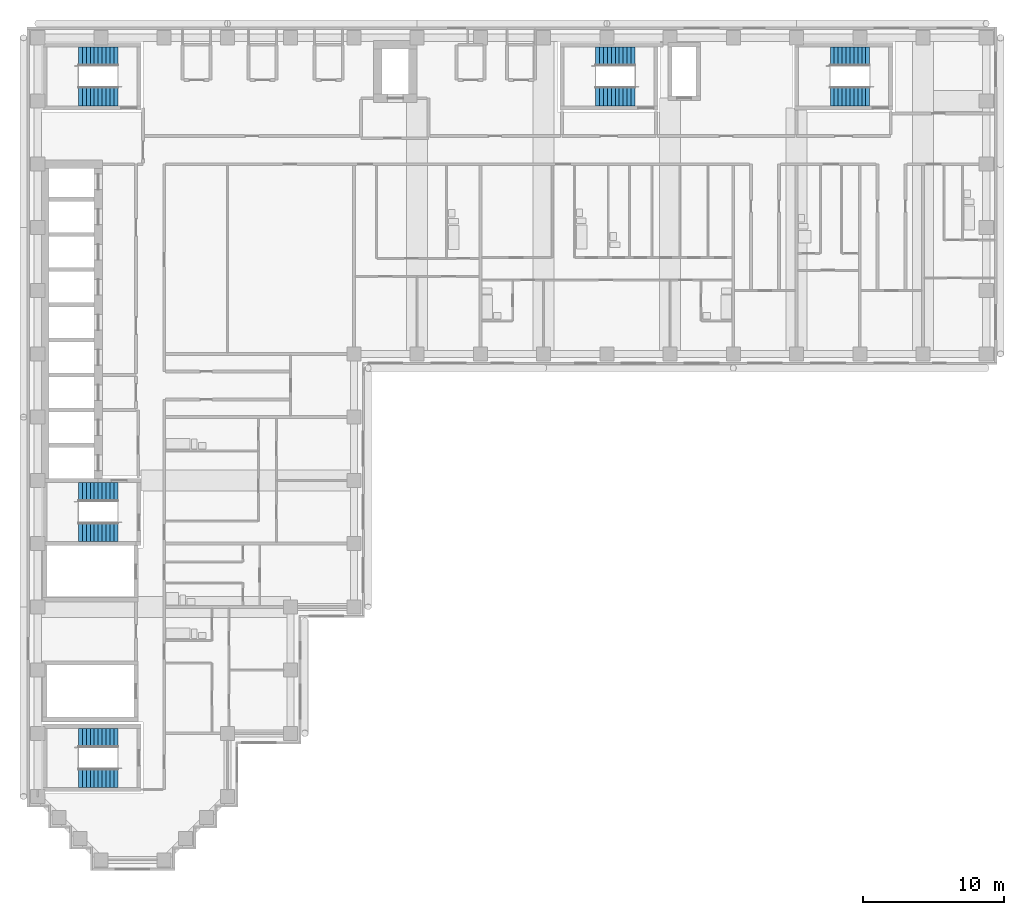
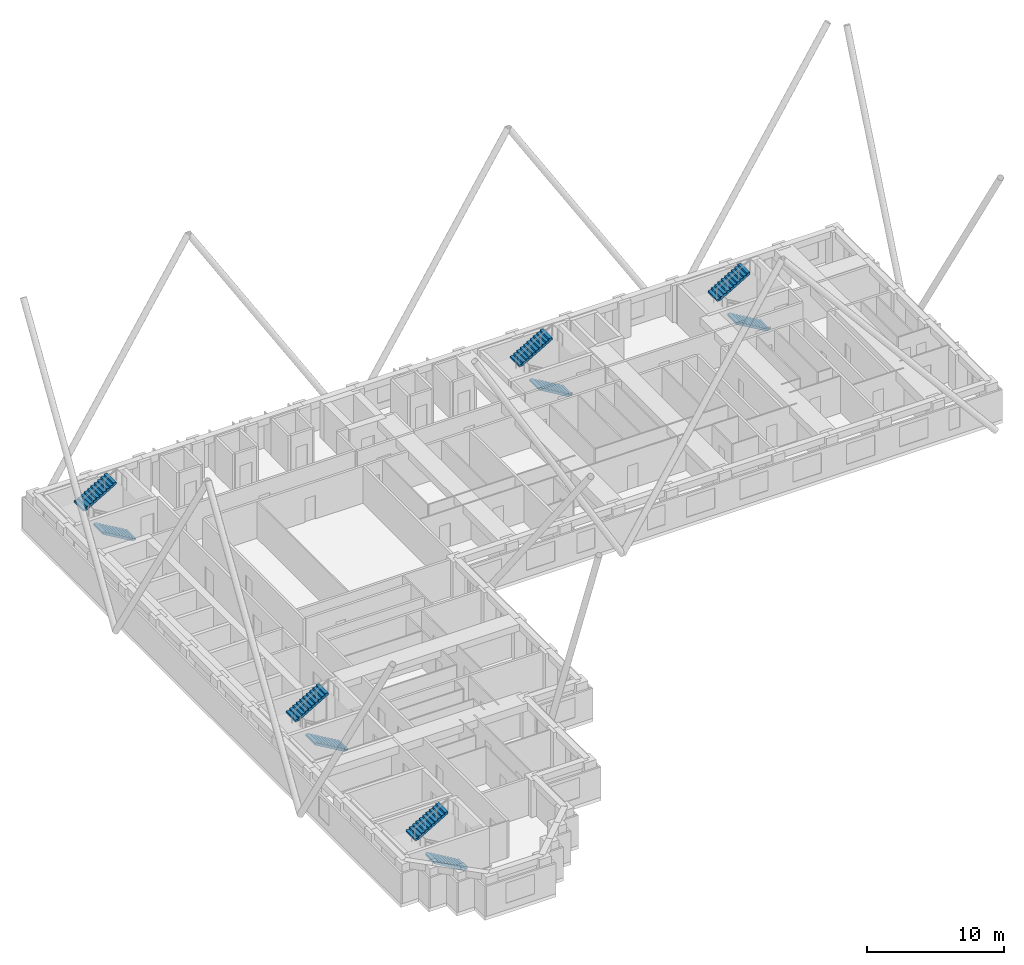
# One storey, part 11 of 13: 10 stair flights, 5 elements without a shape of their own.
"""IFC4 building model written with IfcOpenShell, lengths in metres."""

from ifc_helpers import new_model, si_unit, direction, frame, origin, place, context, subcontext, project, spatial, polyline, outline, extrude, material, type_object, element, aggregate, save


model = new_model("IFC4")

# Units and contexts
model_context = context("Model", 3, precision=1e-05, world=origin(), true_north=direction((0.0, 1.0)))
body_context = subcontext(model_context, "Body", "Model", "MODEL_VIEW")
ifc_project = project(units=[si_unit("LENGTHUNIT", "METRE"), si_unit("AREAUNIT", "SQUARE_METRE"), si_unit("VOLUMEUNIT", "CUBIC_METRE"), si_unit("PLANEANGLEUNIT", "RADIAN"), si_unit("MASSUNIT", "GRAM", prefix="KILO")], contexts=[model_context])

# Site, building, storey
site_placement = place(None, origin())
site = spatial("IfcSite", under=ifc_project, at=site_placement, CompositionType="ELEMENT")
building_placement = place(site_placement, origin())
building = spatial("IfcBuilding", under=site, at=building_placement, Name="Firuza Court", CompositionType="ELEMENT")
storey_placement = place(building_placement, frame((0.0, 0.0, 119.60009765625)))
storey = spatial("IfcBuildingStorey", under=building, at=storey_placement, Name="L29", CompositionType="ELEMENT", Elevation=119.60009765625)

# Stair, stair flights
ifc_material_1 = material(Name="Concrete C40/50 precast", Category="concrete")
stair_type = type_object("IfcStairType", Name="Stair 1350 x 3600 2 flights", PredefinedType="HALF_TURN_STAIR", material=ifc_material_1)
stair_1_placement = place(storey_placement, origin())
stair_1 = element("IfcStair", 1, at=stair_1_placement, inside=storey, type_object=stair_type, Name="Stair 1 L29", PredefinedType="HALF_TURN_STAIR")
ifc_material_2 = material(Name="Concrete C40/50 precast", Category="concrete")
stair_flight_type = type_object("IfcStairFlightType", Name="Flight 1350 riser 163.6", PredefinedType="STRAIGHT", material=ifc_material_2)
stair_flight_1_placement = place(storey_placement, frame((42.5, 54.324951171875, 0.0), z_axis=(0.0, 0.0, 1.0), x_axis=(-1.0, 0.0, 0.0)))
stair_flight_1 = element("IfcStairFlight", 2, at=stair_flight_1_placement, type_object=stair_flight_type, Name="S1 flight 1", NumberOfRisers=11, NumberOfTreads=10, PredefinedType="STRAIGHT", RiserHeight=0.163636364, TreadLength=0.28, context=body_context, shape_type="SweptSolid", body=[
    extrude(outline(polyline([(0.0, 0.0), (0.0, 0.16357421875), (0.280029296875, 0.16357421875), (0.280029296875, 0.327392578125), (0.56005859375, 0.327392578125), (0.56005859375, 0.490966796875), (0.840087890625, 0.490966796875), (0.840087890625, 0.654541015625), (1.1201171875, 0.654541015625), (1.1201171875, 0.818115234375), (1.39990234375, 0.818115234375), (1.39990234375, 0.98193359375), (1.679931640625, 0.98193359375), (1.679931640625, 1.1455078125), (1.9599609375, 1.1455078125), (1.9599609375, 1.30908203125), (2.239990234375, 1.30908203125), (2.239990234375, 1.47265625), (2.52001953125, 1.47265625), (2.52001953125, 1.636474609375), (2.800048828125, 1.636474609375), (2.800048828125, 1.800048828125), (2.800048828125, 1.462646484375), (0.297119140625, 0.0), (0.0, 0.0)])), frame((0.0, 0.675048828125, 0.0), z_axis=(0.0, -1.0, 0.0), x_axis=(1.0, 0.0, 0.0)), (0.0, 0.0, 1.0), 1.35009765625),
])
stair_flight_2_placement = place(storey_placement, frame((39.699951171875, 57.175048828125, 1.7998046875), z_axis=(0.0, 0.0, 1.0), x_axis=(1.0, 0.0, 0.0)))
stair_flight_2 = element("IfcStairFlight", 3, at=stair_flight_2_placement, type_object=stair_flight_type, Name="S1 flight 2", NumberOfRisers=11, NumberOfTreads=10, PredefinedType="STRAIGHT", RiserHeight=0.163636364, TreadLength=0.28, context=body_context, shape_type="SweptSolid", body=[
    extrude(outline(polyline([(0.0, 0.0), (0.0, 0.16357421875), (0.280029296875, 0.16357421875), (0.280029296875, 0.327392578125), (0.56005859375, 0.327392578125), (0.56005859375, 0.490966796875), (0.840087890625, 0.490966796875), (0.840087890625, 0.654541015625), (1.1201171875, 0.654541015625), (1.1201171875, 0.818115234375), (1.39990234375, 0.818115234375), (1.39990234375, 0.98193359375), (1.679931640625, 0.98193359375), (1.679931640625, 1.1455078125), (1.9599609375, 1.1455078125), (1.9599609375, 1.30908203125), (2.239990234375, 1.30908203125), (2.239990234375, 1.47265625), (2.52001953125, 1.47265625), (2.52001953125, 1.636474609375), (2.800048828125, 1.636474609375), (2.800048828125, 1.800048828125), (2.800048828125, 1.462646484375), (0.297119140625, 0.0), (0.0, 0.0)])), frame((0.0, 0.675048828125, 0.0), z_axis=(0.0, -1.0, 0.0), x_axis=(1.0, 0.0, 0.0)), (0.0, 0.0, 1.0), 1.35009765625),
])
aggregate(stair_1, [stair_flight_1, stair_flight_2])

stair_2_placement = place(storey_placement, origin())
stair_2 = element("IfcStair", 4, at=stair_2_placement, inside=storey, type_object=stair_type, Name="Stair 2 L29", PredefinedType="HALF_TURN_STAIR")
stair_flight_3_placement = place(storey_placement, frame((5.699951171875, 23.324951171875, 0.0), z_axis=(0.0, 0.0, 1.0), x_axis=(-1.0, 0.0, 0.0)))
stair_flight_3 = element("IfcStairFlight", 5, at=stair_flight_3_placement, type_object=stair_flight_type, Name="S2 flight 1", NumberOfRisers=11, NumberOfTreads=10, PredefinedType="STRAIGHT", RiserHeight=0.163636364, TreadLength=0.28, context=body_context, shape_type="SweptSolid", body=[
    extrude(outline(polyline([(0.0, 0.0), (0.0, 0.16357421875), (0.280029296875, 0.16357421875), (0.280029296875, 0.327392578125), (0.56005859375, 0.327392578125), (0.56005859375, 0.490966796875), (0.840087890625, 0.490966796875), (0.840087890625, 0.654541015625), (1.1201171875, 0.654541015625), (1.1201171875, 0.818115234375), (1.39990234375, 0.818115234375), (1.39990234375, 0.98193359375), (1.679931640625, 0.98193359375), (1.679931640625, 1.1455078125), (1.9599609375, 1.1455078125), (1.9599609375, 1.30908203125), (2.239990234375, 1.30908203125), (2.239990234375, 1.47265625), (2.52001953125, 1.47265625), (2.52001953125, 1.636474609375), (2.800048828125, 1.636474609375), (2.800048828125, 1.800048828125), (2.800048828125, 1.462646484375), (0.297119140625, 0.0), (0.0, 0.0)])), frame((0.0, 0.675048828125, 0.0), z_axis=(0.0, -1.0, 0.0), x_axis=(1.0, 0.0, 0.0)), (0.0, 0.0, 1.0), 1.35009765625),
])
stair_flight_4_placement = place(storey_placement, frame((2.89990234375, 26.175048828125, 1.7998046875), z_axis=(0.0, 0.0, 1.0), x_axis=(1.0, 0.0, 0.0)))
stair_flight_4 = element("IfcStairFlight", 6, at=stair_flight_4_placement, type_object=stair_flight_type, Name="S2 flight 2", NumberOfRisers=11, NumberOfTreads=10, PredefinedType="STRAIGHT", RiserHeight=0.163636364, TreadLength=0.28, context=body_context, shape_type="SweptSolid", body=[
    extrude(outline(polyline([(0.0, 0.0), (0.0, 0.16357421875), (0.280029296875, 0.16357421875), (0.280029296875, 0.327392578125), (0.56005859375, 0.327392578125), (0.56005859375, 0.490966796875), (0.840087890625, 0.490966796875), (0.840087890625, 0.654541015625), (1.1201171875, 0.654541015625), (1.1201171875, 0.818115234375), (1.39990234375, 0.818115234375), (1.39990234375, 0.98193359375), (1.679931640625, 0.98193359375), (1.679931640625, 1.1455078125), (1.9599609375, 1.1455078125), (1.9599609375, 1.30908203125), (2.239990234375, 1.30908203125), (2.239990234375, 1.47265625), (2.52001953125, 1.47265625), (2.52001953125, 1.636474609375), (2.800048828125, 1.636474609375), (2.800048828125, 1.800048828125), (2.800048828125, 1.462646484375), (0.297119140625, 0.0), (0.0, 0.0)])), frame((0.0, 0.675048828125, 0.0), z_axis=(0.0, -1.0, 0.0), x_axis=(1.0, 0.0, 0.0)), (0.0, 0.0, 1.0), 1.35009765625),
])
aggregate(stair_2, [stair_flight_3, stair_flight_4])

stair_3_placement = place(storey_placement, origin())
stair_3 = element("IfcStair", 7, at=stair_3_placement, inside=storey, type_object=stair_type, Name="Stair 3 L29", PredefinedType="HALF_TURN_STAIR")
stair_flight_5_placement = place(storey_placement, frame((5.699951171875, 54.324951171875, 0.0), z_axis=(0.0, 0.0, 1.0), x_axis=(-1.0, 0.0, 0.0)))
stair_flight_5 = element("IfcStairFlight", 8, at=stair_flight_5_placement, type_object=stair_flight_type, Name="S3 flight 1", NumberOfRisers=11, NumberOfTreads=10, PredefinedType="STRAIGHT", RiserHeight=0.163636364, TreadLength=0.28, context=body_context, shape_type="SweptSolid", body=[
    extrude(outline(polyline([(0.0, 0.0), (0.0, 0.16357421875), (0.280029296875, 0.16357421875), (0.280029296875, 0.327392578125), (0.56005859375, 0.327392578125), (0.56005859375, 0.490966796875), (0.840087890625, 0.490966796875), (0.840087890625, 0.654541015625), (1.1201171875, 0.654541015625), (1.1201171875, 0.818115234375), (1.39990234375, 0.818115234375), (1.39990234375, 0.98193359375), (1.679931640625, 0.98193359375), (1.679931640625, 1.1455078125), (1.9599609375, 1.1455078125), (1.9599609375, 1.30908203125), (2.239990234375, 1.30908203125), (2.239990234375, 1.47265625), (2.52001953125, 1.47265625), (2.52001953125, 1.636474609375), (2.800048828125, 1.636474609375), (2.800048828125, 1.800048828125), (2.800048828125, 1.462646484375), (0.297119140625, 0.0), (0.0, 0.0)])), frame((0.0, 0.675048828125, 0.0), z_axis=(0.0, -1.0, 0.0), x_axis=(1.0, 0.0, 0.0)), (0.0, 0.0, 1.0), 1.35009765625),
])
stair_flight_6_placement = place(storey_placement, frame((2.89990234375, 57.175048828125, 1.7998046875), z_axis=(0.0, 0.0, 1.0), x_axis=(1.0, 0.0, 0.0)))
stair_flight_6 = element("IfcStairFlight", 9, at=stair_flight_6_placement, type_object=stair_flight_type, Name="S3 flight 2", NumberOfRisers=11, NumberOfTreads=10, PredefinedType="STRAIGHT", RiserHeight=0.163636364, TreadLength=0.28, context=body_context, shape_type="SweptSolid", body=[
    extrude(outline(polyline([(0.0, 0.0), (0.0, 0.16357421875), (0.280029296875, 0.16357421875), (0.280029296875, 0.327392578125), (0.56005859375, 0.327392578125), (0.56005859375, 0.490966796875), (0.840087890625, 0.490966796875), (0.840087890625, 0.654541015625), (1.1201171875, 0.654541015625), (1.1201171875, 0.818115234375), (1.39990234375, 0.818115234375), (1.39990234375, 0.98193359375), (1.679931640625, 0.98193359375), (1.679931640625, 1.1455078125), (1.9599609375, 1.1455078125), (1.9599609375, 1.30908203125), (2.239990234375, 1.30908203125), (2.239990234375, 1.47265625), (2.52001953125, 1.47265625), (2.52001953125, 1.636474609375), (2.800048828125, 1.636474609375), (2.800048828125, 1.800048828125), (2.800048828125, 1.462646484375), (0.297119140625, 0.0), (0.0, 0.0)])), frame((0.0, 0.675048828125, 0.0), z_axis=(0.0, -1.0, 0.0), x_axis=(1.0, 0.0, 0.0)), (0.0, 0.0, 1.0), 1.35009765625),
])
aggregate(stair_3, [stair_flight_5, stair_flight_6])

stair_4_placement = place(storey_placement, origin())
stair_4 = element("IfcStair", 10, at=stair_4_placement, inside=storey, type_object=stair_type, Name="Stair 4 L29", PredefinedType="HALF_TURN_STAIR")
stair_flight_7_placement = place(storey_placement, frame((59.199951171875, 54.324951171875, 0.0), z_axis=(0.0, 0.0, 1.0), x_axis=(-1.0, 0.0, 0.0)))
stair_flight_7 = element("IfcStairFlight", 11, at=stair_flight_7_placement, type_object=stair_flight_type, Name="S4 flight 1", NumberOfRisers=11, NumberOfTreads=10, PredefinedType="STRAIGHT", RiserHeight=0.163636364, TreadLength=0.28, context=body_context, shape_type="SweptSolid", body=[
    extrude(outline(polyline([(0.0, 0.0), (0.0, 0.16357421875), (0.280029296875, 0.16357421875), (0.280029296875, 0.327392578125), (0.56005859375, 0.327392578125), (0.56005859375, 0.490966796875), (0.840087890625, 0.490966796875), (0.840087890625, 0.654541015625), (1.1201171875, 0.654541015625), (1.1201171875, 0.818115234375), (1.39990234375, 0.818115234375), (1.39990234375, 0.98193359375), (1.679931640625, 0.98193359375), (1.679931640625, 1.1455078125), (1.9599609375, 1.1455078125), (1.9599609375, 1.30908203125), (2.239990234375, 1.30908203125), (2.239990234375, 1.47265625), (2.52001953125, 1.47265625), (2.52001953125, 1.636474609375), (2.800048828125, 1.636474609375), (2.800048828125, 1.800048828125), (2.800048828125, 1.462646484375), (0.297119140625, 0.0), (0.0, 0.0)])), frame((0.0, 0.675048828125, 0.0), z_axis=(0.0, -1.0, 0.0), x_axis=(1.0, 0.0, 0.0)), (0.0, 0.0, 1.0), 1.35009765625),
])
stair_flight_8_placement = place(storey_placement, frame((56.39990234375, 57.175048828125, 1.7998046875), z_axis=(0.0, 0.0, 1.0), x_axis=(1.0, 0.0, 0.0)))
stair_flight_8 = element("IfcStairFlight", 12, at=stair_flight_8_placement, type_object=stair_flight_type, Name="S4 flight 2", NumberOfRisers=11, NumberOfTreads=10, PredefinedType="STRAIGHT", RiserHeight=0.163636364, TreadLength=0.28, context=body_context, shape_type="SweptSolid", body=[
    extrude(outline(polyline([(0.0, 0.0), (0.0, 0.16357421875), (0.280029296875, 0.16357421875), (0.280029296875, 0.327392578125), (0.56005859375, 0.327392578125), (0.56005859375, 0.490966796875), (0.840087890625, 0.490966796875), (0.840087890625, 0.654541015625), (1.1201171875, 0.654541015625), (1.1201171875, 0.818115234375), (1.39990234375, 0.818115234375), (1.39990234375, 0.98193359375), (1.679931640625, 0.98193359375), (1.679931640625, 1.1455078125), (1.9599609375, 1.1455078125), (1.9599609375, 1.30908203125), (2.239990234375, 1.30908203125), (2.239990234375, 1.47265625), (2.52001953125, 1.47265625), (2.52001953125, 1.636474609375), (2.800048828125, 1.636474609375), (2.800048828125, 1.800048828125), (2.800048828125, 1.462646484375), (0.297119140625, 0.0), (0.0, 0.0)])), frame((0.0, 0.675048828125, 0.0), z_axis=(0.0, -1.0, 0.0), x_axis=(1.0, 0.0, 0.0)), (0.0, 0.0, 1.0), 1.35009765625),
])
aggregate(stair_4, [stair_flight_7, stair_flight_8])

stair_5_placement = place(storey_placement, origin())
stair_5 = element("IfcStair", 13, at=stair_5_placement, inside=storey, type_object=stair_type, Name="Stair 5 L29", PredefinedType="HALF_TURN_STAIR")
stair_flight_9_placement = place(storey_placement, frame((5.699951171875, 5.824951171875, 0.0), z_axis=(0.0, 0.0, 1.0), x_axis=(-1.0, 0.0, 0.0)))
stair_flight_9 = element("IfcStairFlight", 14, at=stair_flight_9_placement, type_object=stair_flight_type, Name="S5 flight 1", NumberOfRisers=11, NumberOfTreads=10, PredefinedType="STRAIGHT", RiserHeight=0.163636364, TreadLength=0.28, context=body_context, shape_type="SweptSolid", body=[
    extrude(outline(polyline([(0.0, 0.0), (0.0, 0.16357421875), (0.280029296875, 0.16357421875), (0.280029296875, 0.327392578125), (0.56005859375, 0.327392578125), (0.56005859375, 0.490966796875), (0.840087890625, 0.490966796875), (0.840087890625, 0.654541015625), (1.1201171875, 0.654541015625), (1.1201171875, 0.818115234375), (1.39990234375, 0.818115234375), (1.39990234375, 0.98193359375), (1.679931640625, 0.98193359375), (1.679931640625, 1.1455078125), (1.9599609375, 1.1455078125), (1.9599609375, 1.30908203125), (2.239990234375, 1.30908203125), (2.239990234375, 1.47265625), (2.52001953125, 1.47265625), (2.52001953125, 1.636474609375), (2.800048828125, 1.636474609375), (2.800048828125, 1.800048828125), (2.800048828125, 1.462646484375), (0.297119140625, 0.0), (0.0, 0.0)])), frame((0.0, 0.675048828125, 0.0), z_axis=(0.0, -1.0, 0.0), x_axis=(1.0, 0.0, 0.0)), (0.0, 0.0, 1.0), 1.35009765625),
])
stair_flight_10_placement = place(storey_placement, frame((2.89990234375, 8.675048828125, 1.7998046875), z_axis=(0.0, 0.0, 1.0), x_axis=(1.0, 0.0, 0.0)))
stair_flight_10 = element("IfcStairFlight", 15, at=stair_flight_10_placement, type_object=stair_flight_type, Name="S5 flight 2", NumberOfRisers=11, NumberOfTreads=10, PredefinedType="STRAIGHT", RiserHeight=0.163636364, TreadLength=0.28, context=body_context, shape_type="SweptSolid", body=[
    extrude(outline(polyline([(0.0, 0.0), (0.0, 0.16357421875), (0.280029296875, 0.16357421875), (0.280029296875, 0.327392578125), (0.56005859375, 0.327392578125), (0.56005859375, 0.490966796875), (0.840087890625, 0.490966796875), (0.840087890625, 0.654541015625), (1.1201171875, 0.654541015625), (1.1201171875, 0.818115234375), (1.39990234375, 0.818115234375), (1.39990234375, 0.98193359375), (1.679931640625, 0.98193359375), (1.679931640625, 1.1455078125), (1.9599609375, 1.1455078125), (1.9599609375, 1.30908203125), (2.239990234375, 1.30908203125), (2.239990234375, 1.47265625), (2.52001953125, 1.47265625), (2.52001953125, 1.636474609375), (2.800048828125, 1.636474609375), (2.800048828125, 1.800048828125), (2.800048828125, 1.462646484375), (0.297119140625, 0.0), (0.0, 0.0)])), frame((0.0, 0.675048828125, 0.0), z_axis=(0.0, -1.0, 0.0), x_axis=(1.0, 0.0, 0.0)), (0.0, 0.0, 1.0), 1.35009765625),
])
aggregate(stair_5, [stair_flight_9, stair_flight_10])

save(model, "model.ifc")
